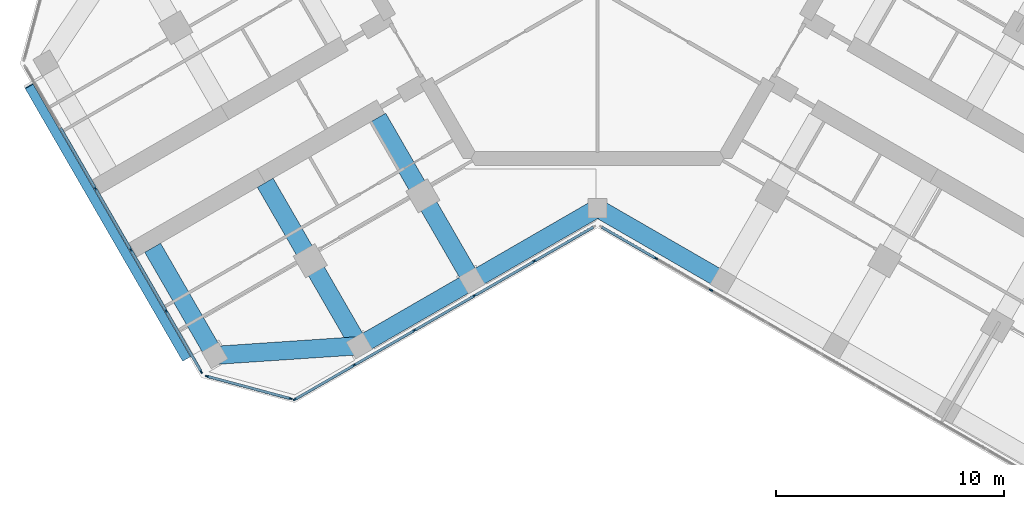
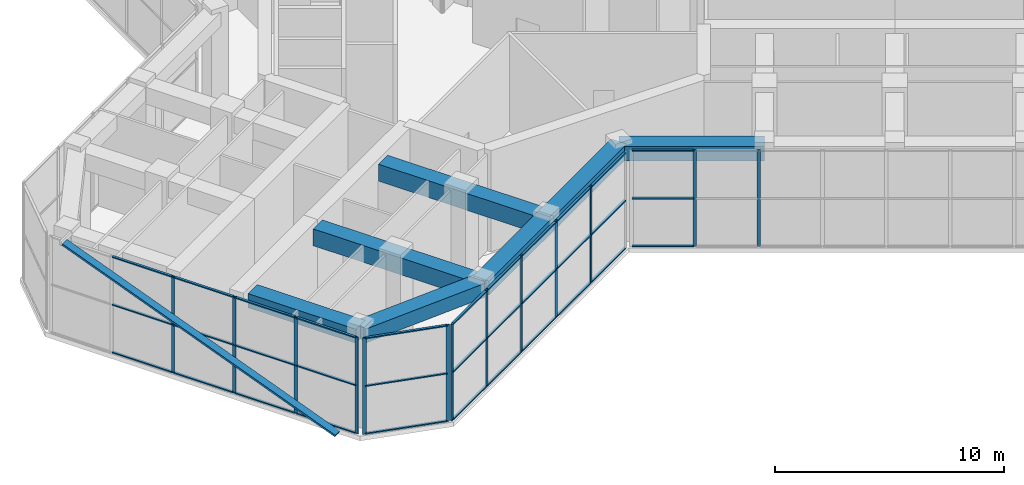
# One storey, part 2 of 16: 47 members, 7 beams, 4 elements without a shape of their own.
"""IFC4 building model written with IfcOpenShell, lengths in metres."""

from ifc_helpers import new_model, si_unit, direction, frame, origin, origin_2d, place, context, subcontext, project, spatial, rectangle, extrude, material, material_profile, profile_set, type_object, element, aggregate, save


model = new_model("IFC4")

# Units and contexts
model_context = context("Model", 3, precision=1e-05, world=origin(), true_north=direction((0.0, 1.0)))
body_context = subcontext(model_context, "Body", "Model", "MODEL_VIEW")
ifc_project = project(units=[si_unit("LENGTHUNIT", "METRE"), si_unit("AREAUNIT", "SQUARE_METRE"), si_unit("VOLUMEUNIT", "CUBIC_METRE"), si_unit("PLANEANGLEUNIT", "RADIAN"), si_unit("MASSUNIT", "GRAM", prefix="KILO")], contexts=[model_context])

# Site, building, storey
site_placement = place(None, origin())
site = spatial("IfcSite", under=ifc_project, at=site_placement, CompositionType="ELEMENT")
building_placement = place(site_placement, origin())
building = spatial("IfcBuilding", under=site, at=building_placement, Name="Kosmar Iwan School Tower", CompositionType="ELEMENT")
storey_placement = place(building_placement, frame((0.0, 0.0, 226.199951171875)))
storey = spatial("IfcBuildingStorey", under=building, at=storey_placement, Name="L57", CompositionType="ELEMENT", Elevation=226.199951171875)

# Member
ifc_material_1 = material(Name="Black anodised aluminium", Category="aluminium")
ifc_material_profile_1 = material_profile(ifc_material_1, rectangle(XDim=0.10009765625, YDim=0.39990234375, at=origin_2d()), Name="FIN 100x400")
ifc_profile_set_1 = profile_set([ifc_material_profile_1], Name="Black anodised aluminium")
member_type_1 = type_object("IfcMemberType", Name="Diagonal fin 100x400", PredefinedType="USERDEFINED", material=ifc_profile_set_1)
member_1_placement = place(storey_placement, frame((-18.0283203125, -18.3740234375, -0.14990234375), z_axis=(-0.465606905616, 0.806453242043, 0.364476855014), x_axis=(0.182238694412, -0.315646061435, 0.931212447382)))
element("IfcMember", 1, at=member_1_placement, inside=storey, type_object=member_type_1, Name="Diagonal fin L57-F11", ObjectType="FIN", PredefinedType="USERDEFINED", context=body_context, shape_type="SweptSolid", body=[
    extrude(rectangle(XDim=0.10009765625, YDim=0.39990234375, at=origin_2d()), origin(), (0.0, 0.0, 1.0), 14.8154296875),
])

# Curtain wall, members
ifc_material_2 = material(Name="Dark glass in black aluminium frame", Category="aluminium")
curtain_wall_type_1 = type_object("IfcCurtainWallType", Name="Tower curtain wall dark glass", PredefinedType="USERDEFINED", material=ifc_material_2)
curtain_wall_1_placement = place(storey_placement, origin())
curtain_wall_1 = element("IfcCurtainWall", 2, at=curtain_wall_1_placement, inside=storey, type_object=curtain_wall_type_1, Name="Curtain wall L57-F11", ObjectType="UNITISED CURTAIN WALL", PredefinedType="USERDEFINED")
ifc_material_3 = material(Name="Black anodised aluminium", Category="aluminium")
ifc_material_profile_2 = material_profile(ifc_material_3, rectangle(XDim=0.06005859375, YDim=0.159912109375, at=origin_2d()), Name="MULLION 60x160")
ifc_profile_set_2 = profile_set([ifc_material_profile_2], Name="Black anodised aluminium")
member_type_2 = type_object("IfcMemberType", Name="Mullion 60x160", PredefinedType="MULLION", material=ifc_profile_set_2)
member_2_placement = place(storey_placement, frame((-22.01416015625, -10.92041015625, 0.0), z_axis=(0.0, 0.0, 1.0), x_axis=(0.866025405329, 0.499999997325, 0.0)))
member_2 = element("IfcMember", 3, at=member_2_placement, type_object=member_type_2, Name="CW1 mullion 3", PredefinedType="MULLION", context=body_context, shape_type="SweptSolid", body=[
    extrude(rectangle(XDim=0.06005859375, YDim=0.159912109375, at=origin_2d()), origin(), (0.0, 0.0, 1.0), 5.150146484375),
])
member_3_placement = place(storey_placement, frame((-20.46435546875, -13.6044921875, 0.0), z_axis=(0.0, 0.0, 1.0), x_axis=(0.866025405329, 0.499999997325, 0.0)))
member_3 = element("IfcMember", 4, at=member_3_placement, type_object=member_type_2, Name="CW1 mullion 4", PredefinedType="MULLION", context=body_context, shape_type="SweptSolid", body=[
    extrude(rectangle(XDim=0.06005859375, YDim=0.159912109375, at=origin_2d()), origin(), (0.0, 0.0, 1.0), 5.150146484375),
])
member_4_placement = place(storey_placement, frame((-18.914794921875, -16.28857421875, 0.0), z_axis=(0.0, 0.0, 1.0), x_axis=(0.866025405329, 0.499999997325, 0.0)))
member_4 = element("IfcMember", 5, at=member_4_placement, type_object=member_type_2, Name="CW1 mullion 5", PredefinedType="MULLION", context=body_context, shape_type="SweptSolid", body=[
    extrude(rectangle(XDim=0.06005859375, YDim=0.159912109375, at=origin_2d()), origin(), (0.0, 0.0, 1.0), 5.150146484375),
])
member_5_placement = place(storey_placement, frame((-17.380126953125, -18.94677734375, 0.0), z_axis=(0.0, 0.0, 1.0), x_axis=(0.866025405329, 0.499999997325, 0.0)))
member_5 = element("IfcMember", 6, at=member_5_placement, type_object=member_type_2, Name="CW1 mullion 6", PredefinedType="MULLION", context=body_context, shape_type="SweptSolid", body=[
    extrude(rectangle(XDim=0.06005859375, YDim=0.159912109375, at=origin_2d()), origin(), (0.0, 0.0, 1.0), 5.150146484375),
])

ifc_material_4 = material(Name="Dark glass in black aluminium frame", Category="aluminium")
curtain_wall_type_2 = type_object("IfcCurtainWallType", Name="Chamfer curtain wall dark glass", PredefinedType="USERDEFINED", material=ifc_material_4)
curtain_wall_2_placement = place(storey_placement, origin())
curtain_wall_2 = element("IfcCurtainWall", 7, at=curtain_wall_2_placement, inside=storey, type_object=curtain_wall_type_2, Name="Curtain wall L57-F12", ObjectType="FACETED CURTAIN WALL", PredefinedType="USERDEFINED")
member_6_placement = place(storey_placement, frame((-17.1162109375, -19.149169921875, 0.0), z_axis=(0.0, 0.0, 1.0), x_axis=(0.258818861462, 0.965925875495, 0.0)))
member_6 = element("IfcMember", 8, at=member_6_placement, type_object=member_type_2, Name="CW2 mullion 1", PredefinedType="MULLION", context=body_context, shape_type="SweptSolid", body=[
    extrude(rectangle(XDim=0.06005859375, YDim=0.159912109375, at=origin_2d()), origin(), (0.0, 0.0, 1.0), 5.150146484375),
])
member_7_placement = place(storey_placement, frame((-13.466064453125, -20.127197265625, 0.0), z_axis=(0.0, 0.0, 1.0), x_axis=(0.258818861462, 0.965925875495, 0.0)))
member_7 = element("IfcMember", 9, at=member_7_placement, type_object=member_type_2, Name="CW2 mullion 2", PredefinedType="MULLION", context=body_context, shape_type="SweptSolid", body=[
    extrude(rectangle(XDim=0.06005859375, YDim=0.159912109375, at=origin_2d()), origin(), (0.0, 0.0, 1.0), 5.150146484375),
])

ifc_material_5 = material(Name="Dark glass in black aluminium frame", Category="aluminium")
curtain_wall_type_3 = type_object("IfcCurtainWallType", Name="Winter garden curtain wall", PredefinedType="USERDEFINED", material=ifc_material_5)
curtain_wall_3_placement = place(storey_placement, origin())
curtain_wall_3 = element("IfcCurtainWall", 10, at=curtain_wall_3_placement, inside=storey, type_object=curtain_wall_type_3, Name="Curtain wall L57-F13", ObjectType="WINTER GARDEN CURTAIN WALL", PredefinedType="USERDEFINED")
member_8_placement = place(storey_placement, frame((-2.768798828125, -14.09814453125, 0.0), z_axis=(0.0, 0.0, 1.0), x_axis=(0.499999981877, -0.866025414248, 0.0)))
member_8 = element("IfcMember", 11, at=member_8_placement, type_object=member_type_2, Name="CW7 mullion 2", PredefinedType="MULLION", context=body_context, shape_type="SweptSolid", body=[
    extrude(rectangle(XDim=0.06005859375, YDim=0.159912109375, at=origin_2d()), origin(), (0.0, 0.0, 1.0), 5.150146484375),
])
member_9_placement = place(storey_placement, frame((-5.399658203125, -15.616943359375, 0.0), z_axis=(0.0, 0.0, 1.0), x_axis=(0.499999981877, -0.866025414248, 0.0)))
member_9 = element("IfcMember", 12, at=member_9_placement, type_object=member_type_2, Name="CW7 mullion 3", PredefinedType="MULLION", context=body_context, shape_type="SweptSolid", body=[
    extrude(rectangle(XDim=0.06005859375, YDim=0.159912109375, at=origin_2d()), origin(), (0.0, 0.0, 1.0), 5.150146484375),
])
member_10_placement = place(storey_placement, frame((-8.030517578125, -17.135986328125, 0.0), z_axis=(0.0, 0.0, 1.0), x_axis=(0.499999981877, -0.866025414248, 0.0)))
member_10 = element("IfcMember", 13, at=member_10_placement, type_object=member_type_2, Name="CW7 mullion 4", PredefinedType="MULLION", context=body_context, shape_type="SweptSolid", body=[
    extrude(rectangle(XDim=0.06005859375, YDim=0.159912109375, at=origin_2d()), origin(), (0.0, 0.0, 1.0), 5.150146484375),
])
member_11_placement = place(storey_placement, frame((-10.6611328125, -18.655029296875, 0.0), z_axis=(0.0, 0.0, 1.0), x_axis=(0.499999981877, -0.866025414248, 0.0)))
member_11 = element("IfcMember", 14, at=member_11_placement, type_object=member_type_2, Name="CW7 mullion 5", PredefinedType="MULLION", context=body_context, shape_type="SweptSolid", body=[
    extrude(rectangle(XDim=0.06005859375, YDim=0.159912109375, at=origin_2d()), origin(), (0.0, 0.0, 1.0), 5.150146484375),
])
member_12_placement = place(storey_placement, frame((-13.26611328125, -20.158935546875, 0.0), z_axis=(0.0, 0.0, 1.0), x_axis=(0.499999981877, -0.866025414248, 0.0)))
member_12 = element("IfcMember", 15, at=member_12_placement, type_object=member_type_2, Name="CW7 mullion 6", PredefinedType="MULLION", context=body_context, shape_type="SweptSolid", body=[
    extrude(rectangle(XDim=0.06005859375, YDim=0.159912109375, at=origin_2d()), origin(), (0.0, 0.0, 1.0), 5.150146484375),
])

curtain_wall_4_placement = place(storey_placement, origin())
curtain_wall_4 = element("IfcCurtainWall", 16, at=curtain_wall_4_placement, inside=storey, type_object=curtain_wall_type_3, Name="Curtain wall L57-F14", ObjectType="WINTER GARDEN CURTAIN WALL", PredefinedType="USERDEFINED")
member_13_placement = place(storey_placement, frame((2.556884765625, -13.975830078125, 0.0), z_axis=(0.0, 0.0, 1.0), x_axis=(0.500000014888, 0.866025395189, 0.0)))
member_13 = element("IfcMember", 17, at=member_13_placement, type_object=member_type_2, Name="CW7 mullion 2", PredefinedType="MULLION", context=body_context, shape_type="SweptSolid", body=[
    extrude(rectangle(XDim=0.06005859375, YDim=0.159912109375, at=origin_2d()), origin(), (0.0, 0.0, 1.0), 5.150146484375),
])
member_14_placement = place(storey_placement, frame((4.975830078125, -15.37255859375, 0.0), z_axis=(0.0, 0.0, 1.0), x_axis=(0.500000014888, 0.866025395189, 0.0)))
member_14 = element("IfcMember", 18, at=member_14_placement, type_object=member_type_2, Name="CW7 mullion 3", PredefinedType="MULLION", context=body_context, shape_type="SweptSolid", body=[
    extrude(rectangle(XDim=0.06005859375, YDim=0.159912109375, at=origin_2d()), origin(), (0.0, 0.0, 1.0), 5.150146484375),
])

# Beams
ifc_material_6 = material(Name="Concrete C50/60", Category="concrete")
ifc_material_profile_3 = material_profile(ifc_material_6, rectangle(XDim=0.800048828125, YDim=0.75, at=origin_2d()), Name="RC 800x750")
ifc_profile_set_3 = profile_set([ifc_material_profile_3], Name="Concrete C50/60")
beam_type_1 = type_object("IfcBeamType", Name="RC edge beam 800x750", PredefinedType="BEAM", material=ifc_profile_set_3)
beam_1_placement = place(storey_placement, frame((0.0, -11.77783203125, 4.775146484375), z_axis=(-0.866014293216, -0.500019243575, 0.0), x_axis=(0.500019243575, -0.866014293216, 0.0)))
element("IfcBeam", 19, at=beam_1_placement, inside=storey, type_object=beam_type_1, Name="Edge beam BL1", PredefinedType="BEAM", context=body_context, shape_type="SweptSolid", body=[
    extrude(rectangle(XDim=0.800048828125, YDim=0.75, at=origin_2d()), origin(), (0.0, 0.0, 1.0), 6.361083984375),
])
beam_2_placement = place(storey_placement, frame((-5.5087890625, -14.95849609375, 4.775146484375), z_axis=(-0.866033658841, -0.49998570155, 0.0), x_axis=(0.49998570155, -0.866033658841, 0.0)))
element("IfcBeam", 20, at=beam_2_placement, inside=storey, type_object=beam_type_1, Name="Edge beam BL2", PredefinedType="BEAM", context=body_context, shape_type="SweptSolid", body=[
    extrude(rectangle(XDim=0.800048828125, YDim=0.75, at=origin_2d()), origin(), (0.0, 0.0, 1.0), 5.699951171875),
])
beam_3_placement = place(storey_placement, frame((0.0, -11.77783203125, 4.775146484375), z_axis=(0.866014293216, -0.500019243575, 0.0), x_axis=(0.500019243575, 0.866014293216, 0.0)))
element("IfcBeam", 21, at=beam_3_placement, inside=storey, type_object=beam_type_1, Name="Edge beam CR1", PredefinedType="BEAM", context=body_context, shape_type="SweptSolid", body=[
    extrude(rectangle(XDim=0.800048828125, YDim=0.75, at=origin_2d()), origin(), (0.0, 0.0, 1.0), 6.361083984375),
])
ifc_material_7 = material(Name="Concrete C50/60", Category="concrete")
ifc_material_profile_4 = material_profile(ifc_material_7, rectangle(XDim=0.800048828125, YDim=0.75, at=origin_2d()), Name="RC 800x750")
ifc_profile_set_4 = profile_set([ifc_material_profile_4], Name="Concrete C50/60")
beam_type_2 = type_object("IfcBeamType", Name="RC tip beam 800x750", PredefinedType="BEAM", material=ifc_profile_set_4)
beam_4_placement = place(storey_placement, frame((-10.445068359375, -17.808349609375, 4.775146484375), z_axis=(-0.997755118724, -0.066968074933, 0.0), x_axis=(0.066968074933, -0.997755118724, 0.0)))
element("IfcBeam", 22, at=beam_4_placement, inside=storey, type_object=beam_type_2, Name="Tip beam BL", PredefinedType="BEAM", context=body_context, shape_type="SweptSolid", body=[
    extrude(rectangle(XDim=0.800048828125, YDim=0.75, at=origin_2d()), origin(), (0.0, 0.0, 1.0), 6.3505859375),
])
beam_5_placement = place(storey_placement, frame((-16.781494140625, -18.233642578125, 4.775146484375), z_axis=(-0.500002931134, 0.866023711487, 0.0), x_axis=(-0.866023711487, -0.500002931134, 0.0)))
element("IfcBeam", 23, at=beam_5_placement, inside=storey, type_object=beam_type_2, Name="Tip beam BL to corridor wall", PredefinedType="BEAM", context=body_context, shape_type="SweptSolid", body=[
    extrude(rectangle(XDim=0.800048828125, YDim=0.75, at=origin_2d()), origin(), (0.0, 0.0, 1.0), 5.4501953125),
])
ifc_material_8 = material(Name="Concrete C50/60", Category="concrete")
ifc_material_profile_5 = material_profile(ifc_material_8, rectangle(XDim=0.800048828125, YDim=0.89990234375, at=origin_2d()), Name="RC 800x900")
ifc_profile_set_5 = profile_set([ifc_material_profile_5], Name="Concrete C50/60")
beam_type_3 = type_object("IfcBeamType", Name="RC transverse beam 800x900", PredefinedType="BEAM", material=ifc_profile_set_5)
beam_6_placement = place(storey_placement, frame((-5.5087890625, -14.95849609375, 4.699951171875), z_axis=(-0.499996545922, 0.866027397988, 0.0), x_axis=(-0.866027397988, -0.499996545922, 0.0)))
element("IfcBeam", 24, at=beam_6_placement, inside=storey, type_object=beam_type_3, Name="Transverse beam BL1", PredefinedType="BEAM", context=body_context, shape_type="SweptSolid", body=[
    extrude(rectangle(XDim=0.800048828125, YDim=0.89990234375, at=origin_2d()), origin(), (0.0, 0.0, 1.0), 8.25),
])
beam_7_placement = place(storey_placement, frame((-10.445068359375, -17.808349609375, 4.699951171875), z_axis=(-0.500009360108, 0.866019999656, 0.0), x_axis=(-0.866019999656, -0.500009360108, 0.0)))
element("IfcBeam", 25, at=beam_7_placement, inside=storey, type_object=beam_type_3, Name="Transverse beam BL2", PredefinedType="BEAM", context=body_context, shape_type="SweptSolid", body=[
    extrude(rectangle(XDim=0.800048828125, YDim=0.89990234375, at=origin_2d()), origin(), (0.0, 0.0, 1.0), 8.249755859375),
])

# Member
ifc_material_9 = material(Name="Black anodised aluminium", Category="aluminium")
ifc_material_profile_6 = material_profile(ifc_material_9, rectangle(XDim=0.1201171875, YDim=0.06005859375, at=origin_2d()), Name="TRANSOM 60x120")
ifc_profile_set_6 = profile_set([ifc_material_profile_6], Name="Black anodised aluminium")
member_type_3 = type_object("IfcMemberType", Name="Transom 60x120", PredefinedType="USERDEFINED", material=ifc_profile_set_6)
member_15_placement = place(storey_placement, frame((-23.548828125, -8.262451171875, 0.030029296875), z_axis=(0.500035348339, -0.866004994449, 0.0), x_axis=(0.866004994449, 0.500035348339, 0.0)))
member_15 = element("IfcMember", 26, at=member_15_placement, type_object=member_type_3, Name="CW1 transom 2.1", ObjectType="TRANSOM", PredefinedType="USERDEFINED", context=body_context, shape_type="SweptSolid", body=[
    extrude(rectangle(XDim=0.1201171875, YDim=0.06005859375, at=origin_2d()), origin(), (0.0, 0.0, 1.0), 3.039306640625),
])

member_16_placement = place(storey_placement, frame((-23.548828125, -8.262451171875, 2.574951171875), z_axis=(0.500035348339, -0.866004994449, 0.0), x_axis=(0.866004994449, 0.500035348339, 0.0)))
member_16 = element("IfcMember", 27, at=member_16_placement, type_object=member_type_3, Name="CW1 transom 2.2", ObjectType="TRANSOM", PredefinedType="USERDEFINED", context=body_context, shape_type="SweptSolid", body=[
    extrude(rectangle(XDim=0.1201171875, YDim=0.06005859375, at=origin_2d()), origin(), (0.0, 0.0, 1.0), 3.039306640625),
])

member_17_placement = place(storey_placement, frame((-23.548828125, -8.262451171875, 5.1201171875), z_axis=(0.500035348339, -0.866004994449, 0.0), x_axis=(0.866004994449, 0.500035348339, 0.0)))
member_17 = element("IfcMember", 28, at=member_17_placement, type_object=member_type_3, Name="CW1 transom 2.3", ObjectType="TRANSOM", PredefinedType="USERDEFINED", context=body_context, shape_type="SweptSolid", body=[
    extrude(rectangle(XDim=0.1201171875, YDim=0.06005859375, at=origin_2d()), origin(), (0.0, 0.0, 1.0), 3.039306640625),
])

member_18_placement = place(storey_placement, frame((-21.9990234375, -10.946533203125, 0.030029296875), z_axis=(0.499975102327, -0.866039777986, 0.0), x_axis=(0.866039777986, 0.499975102327, 0.0)))
member_18 = element("IfcMember", 29, at=member_18_placement, type_object=member_type_3, Name="CW1 transom 3.1", ObjectType="TRANSOM", PredefinedType="USERDEFINED", context=body_context, shape_type="SweptSolid", body=[
    extrude(rectangle(XDim=0.1201171875, YDim=0.06005859375, at=origin_2d()), origin(), (0.0, 0.0, 1.0), 3.039306640625),
])

member_19_placement = place(storey_placement, frame((-21.9990234375, -10.946533203125, 2.574951171875), z_axis=(0.499975102327, -0.866039777986, 0.0), x_axis=(0.866039777986, 0.499975102327, 0.0)))
member_19 = element("IfcMember", 30, at=member_19_placement, type_object=member_type_3, Name="CW1 transom 3.2", ObjectType="TRANSOM", PredefinedType="USERDEFINED", context=body_context, shape_type="SweptSolid", body=[
    extrude(rectangle(XDim=0.1201171875, YDim=0.06005859375, at=origin_2d()), origin(), (0.0, 0.0, 1.0), 3.039306640625),
])

member_20_placement = place(storey_placement, frame((-21.9990234375, -10.946533203125, 5.1201171875), z_axis=(0.499975102327, -0.866039777986, 0.0), x_axis=(0.866039777986, 0.499975102327, 0.0)))
member_20 = element("IfcMember", 31, at=member_20_placement, type_object=member_type_3, Name="CW1 transom 3.3", ObjectType="TRANSOM", PredefinedType="USERDEFINED", context=body_context, shape_type="SweptSolid", body=[
    extrude(rectangle(XDim=0.1201171875, YDim=0.06005859375, at=origin_2d()), origin(), (0.0, 0.0, 1.0), 3.039306640625),
])

member_21_placement = place(storey_placement, frame((-20.449462890625, -13.630615234375, 0.030029296875), z_axis=(0.500035348339, -0.866004994449, 0.0), x_axis=(0.866004994449, 0.500035348339, 0.0)))
member_21 = element("IfcMember", 32, at=member_21_placement, type_object=member_type_3, Name="CW1 transom 4.1", ObjectType="TRANSOM", PredefinedType="USERDEFINED", context=body_context, shape_type="SweptSolid", body=[
    extrude(rectangle(XDim=0.1201171875, YDim=0.06005859375, at=origin_2d()), origin(), (0.0, 0.0, 1.0), 3.039306640625),
])

member_22_placement = place(storey_placement, frame((-20.449462890625, -13.630615234375, 2.574951171875), z_axis=(0.500035348339, -0.866004994449, 0.0), x_axis=(0.866004994449, 0.500035348339, 0.0)))
member_22 = element("IfcMember", 33, at=member_22_placement, type_object=member_type_3, Name="CW1 transom 4.2", ObjectType="TRANSOM", PredefinedType="USERDEFINED", context=body_context, shape_type="SweptSolid", body=[
    extrude(rectangle(XDim=0.1201171875, YDim=0.06005859375, at=origin_2d()), origin(), (0.0, 0.0, 1.0), 3.039306640625),
])

member_23_placement = place(storey_placement, frame((-20.449462890625, -13.630615234375, 5.1201171875), z_axis=(0.500035348339, -0.866004994449, 0.0), x_axis=(0.866004994449, 0.500035348339, 0.0)))
member_23 = element("IfcMember", 34, at=member_23_placement, type_object=member_type_3, Name="CW1 transom 4.3", ObjectType="TRANSOM", PredefinedType="USERDEFINED", context=body_context, shape_type="SweptSolid", body=[
    extrude(rectangle(XDim=0.1201171875, YDim=0.06005859375, at=origin_2d()), origin(), (0.0, 0.0, 1.0), 3.039306640625),
])

member_24_placement = place(storey_placement, frame((-18.89990234375, -16.314697265625, 0.030029296875), z_axis=(0.500022102064, -0.866012642776, 0.0), x_axis=(0.866012642776, 0.500022102064, 0.0)))
member_24 = element("IfcMember", 35, at=member_24_placement, type_object=member_type_3, Name="CW1 transom 5.1", ObjectType="TRANSOM", PredefinedType="USERDEFINED", context=body_context, shape_type="SweptSolid", body=[
    extrude(rectangle(XDim=0.1201171875, YDim=0.06005859375, at=origin_2d()), origin(), (0.0, 0.0, 1.0), 3.009033203125),
])

member_25_placement = place(storey_placement, frame((-18.89990234375, -16.314697265625, 2.574951171875), z_axis=(0.500022102064, -0.866012642776, 0.0), x_axis=(0.866012642776, 0.500022102064, 0.0)))
member_25 = element("IfcMember", 36, at=member_25_placement, type_object=member_type_3, Name="CW1 transom 5.2", ObjectType="TRANSOM", PredefinedType="USERDEFINED", context=body_context, shape_type="SweptSolid", body=[
    extrude(rectangle(XDim=0.1201171875, YDim=0.06005859375, at=origin_2d()), origin(), (0.0, 0.0, 1.0), 3.009033203125),
])

member_26_placement = place(storey_placement, frame((-18.89990234375, -16.314697265625, 5.1201171875), z_axis=(0.500022102064, -0.866012642776, 0.0), x_axis=(0.866012642776, 0.500022102064, 0.0)))
member_26 = element("IfcMember", 37, at=member_26_placement, type_object=member_type_3, Name="CW1 transom 5.3", ObjectType="TRANSOM", PredefinedType="USERDEFINED", context=body_context, shape_type="SweptSolid", body=[
    extrude(rectangle(XDim=0.1201171875, YDim=0.06005859375, at=origin_2d()), origin(), (0.0, 0.0, 1.0), 3.009033203125),
])

aggregate(curtain_wall_1, [member_2, member_3, member_4, member_5, member_15, member_16, member_17, member_18, member_19, member_20, member_21, member_22, member_23, member_24, member_25, member_26])

member_27_placement = place(storey_placement, frame((-17.08740234375, -19.156982421875, 0.030029296875), z_axis=(0.965940141052, -0.258765615768, 0.0), x_axis=(0.258765615768, 0.965940141052, 0.0)))
member_27 = element("IfcMember", 38, at=member_27_placement, type_object=member_type_3, Name="CW2 transom 1.1", ObjectType="TRANSOM", PredefinedType="USERDEFINED", context=body_context, shape_type="SweptSolid", body=[
    extrude(rectangle(XDim=0.1201171875, YDim=0.06005859375, at=origin_2d()), origin(), (0.0, 0.0, 1.0), 3.71923828125),
])

member_28_placement = place(storey_placement, frame((-17.08740234375, -19.156982421875, 2.574951171875), z_axis=(0.965940141052, -0.258765615768, 0.0), x_axis=(0.258765615768, 0.965940141052, 0.0)))
member_28 = element("IfcMember", 39, at=member_28_placement, type_object=member_type_3, Name="CW2 transom 1.2", ObjectType="TRANSOM", PredefinedType="USERDEFINED", context=body_context, shape_type="SweptSolid", body=[
    extrude(rectangle(XDim=0.1201171875, YDim=0.06005859375, at=origin_2d()), origin(), (0.0, 0.0, 1.0), 3.71923828125),
])

member_29_placement = place(storey_placement, frame((-17.08740234375, -19.156982421875, 5.1201171875), z_axis=(0.965940141052, -0.258765615768, 0.0), x_axis=(0.258765615768, 0.965940141052, 0.0)))
member_29 = element("IfcMember", 40, at=member_29_placement, type_object=member_type_3, Name="CW2 transom 1.3", ObjectType="TRANSOM", PredefinedType="USERDEFINED", context=body_context, shape_type="SweptSolid", body=[
    extrude(rectangle(XDim=0.1201171875, YDim=0.06005859375, at=origin_2d()), origin(), (0.0, 0.0, 1.0), 3.71923828125),
])

aggregate(curtain_wall_2, [member_6, member_7, member_27, member_28, member_29])

member_30_placement = place(storey_placement, frame((-0.189697265625, -12.609130859375, 0.030029296875), z_axis=(-0.86600215702, -0.500040262416, 0.0), x_axis=(0.500040262416, -0.86600215702, 0.0)))
member_30 = element("IfcMember", 41, at=member_30_placement, type_object=member_type_3, Name="CW7 transom 1.1", ObjectType="TRANSOM", PredefinedType="USERDEFINED", context=body_context, shape_type="SweptSolid", body=[
    extrude(rectangle(XDim=0.1201171875, YDim=0.06005859375, at=origin_2d()), origin(), (0.0, 0.0, 1.0), 2.947998046875),
])

member_31_placement = place(storey_placement, frame((-0.189697265625, -12.609130859375, 2.574951171875), z_axis=(-0.86600215702, -0.500040262416, 0.0), x_axis=(0.500040262416, -0.86600215702, 0.0)))
member_31 = element("IfcMember", 42, at=member_31_placement, type_object=member_type_3, Name="CW7 transom 1.2", ObjectType="TRANSOM", PredefinedType="USERDEFINED", context=body_context, shape_type="SweptSolid", body=[
    extrude(rectangle(XDim=0.1201171875, YDim=0.06005859375, at=origin_2d()), origin(), (0.0, 0.0, 1.0), 2.947998046875),
])

member_32_placement = place(storey_placement, frame((-0.189697265625, -12.609130859375, 5.1201171875), z_axis=(-0.86600215702, -0.500040262416, 0.0), x_axis=(0.500040262416, -0.86600215702, 0.0)))
member_32 = element("IfcMember", 43, at=member_32_placement, type_object=member_type_3, Name="CW7 transom 1.3", ObjectType="TRANSOM", PredefinedType="USERDEFINED", context=body_context, shape_type="SweptSolid", body=[
    extrude(rectangle(XDim=0.1201171875, YDim=0.06005859375, at=origin_2d()), origin(), (0.0, 0.0, 1.0), 2.947998046875),
])

member_33_placement = place(storey_placement, frame((-2.794677734375, -14.113037109375, 0.030029296875), z_axis=(-0.866009459781, -0.500027614807, 0.0), x_axis=(0.500027614807, -0.866009459781, 0.0)))
member_33 = element("IfcMember", 44, at=member_33_placement, type_object=member_type_3, Name="CW7 transom 2.1", ObjectType="TRANSOM", PredefinedType="USERDEFINED", context=body_context, shape_type="SweptSolid", body=[
    extrude(rectangle(XDim=0.1201171875, YDim=0.06005859375, at=origin_2d()), origin(), (0.0, 0.0, 1.0), 2.977783203125),
])

member_34_placement = place(storey_placement, frame((-2.794677734375, -14.113037109375, 2.574951171875), z_axis=(-0.866009459781, -0.500027614807, 0.0), x_axis=(0.500027614807, -0.866009459781, 0.0)))
member_34 = element("IfcMember", 45, at=member_34_placement, type_object=member_type_3, Name="CW7 transom 2.2", ObjectType="TRANSOM", PredefinedType="USERDEFINED", context=body_context, shape_type="SweptSolid", body=[
    extrude(rectangle(XDim=0.1201171875, YDim=0.06005859375, at=origin_2d()), origin(), (0.0, 0.0, 1.0), 2.977783203125),
])

member_35_placement = place(storey_placement, frame((-2.794677734375, -14.113037109375, 5.1201171875), z_axis=(-0.866009459781, -0.500027614807, 0.0), x_axis=(0.500027614807, -0.866009459781, 0.0)))
member_35 = element("IfcMember", 46, at=member_35_placement, type_object=member_type_3, Name="CW7 transom 2.3", ObjectType="TRANSOM", PredefinedType="USERDEFINED", context=body_context, shape_type="SweptSolid", body=[
    extrude(rectangle(XDim=0.1201171875, YDim=0.06005859375, at=origin_2d()), origin(), (0.0, 0.0, 1.0), 2.977783203125),
])

member_36_placement = place(storey_placement, frame((-5.425537109375, -15.632080078125, 0.030029296875), z_axis=(-0.866009459781, -0.500027614807, 0.0), x_axis=(0.500027614807, -0.866009459781, 0.0)))
member_36 = element("IfcMember", 47, at=member_36_placement, type_object=member_type_3, Name="CW7 transom 3.1", ObjectType="TRANSOM", PredefinedType="USERDEFINED", context=body_context, shape_type="SweptSolid", body=[
    extrude(rectangle(XDim=0.1201171875, YDim=0.06005859375, at=origin_2d()), origin(), (0.0, 0.0, 1.0), 2.977783203125),
])

member_37_placement = place(storey_placement, frame((-5.425537109375, -15.632080078125, 2.574951171875), z_axis=(-0.866009459781, -0.500027614807, 0.0), x_axis=(0.500027614807, -0.866009459781, 0.0)))
member_37 = element("IfcMember", 48, at=member_37_placement, type_object=member_type_3, Name="CW7 transom 3.2", ObjectType="TRANSOM", PredefinedType="USERDEFINED", context=body_context, shape_type="SweptSolid", body=[
    extrude(rectangle(XDim=0.1201171875, YDim=0.06005859375, at=origin_2d()), origin(), (0.0, 0.0, 1.0), 2.977783203125),
])

member_38_placement = place(storey_placement, frame((-5.425537109375, -15.632080078125, 5.1201171875), z_axis=(-0.866009459781, -0.500027614807, 0.0), x_axis=(0.500027614807, -0.866009459781, 0.0)))
member_38 = element("IfcMember", 49, at=member_38_placement, type_object=member_type_3, Name="CW7 transom 3.3", ObjectType="TRANSOM", PredefinedType="USERDEFINED", context=body_context, shape_type="SweptSolid", body=[
    extrude(rectangle(XDim=0.1201171875, YDim=0.06005859375, at=origin_2d()), origin(), (0.0, 0.0, 1.0), 2.977783203125),
])

member_39_placement = place(storey_placement, frame((-8.056396484375, -17.15087890625, 0.030029296875), z_axis=(-0.866009459781, -0.500027614807, 0.0), x_axis=(0.500027614807, -0.866009459781, 0.0)))
member_39 = element("IfcMember", 50, at=member_39_placement, type_object=member_type_3, Name="CW7 transom 4.1", ObjectType="TRANSOM", PredefinedType="USERDEFINED", context=body_context, shape_type="SweptSolid", body=[
    extrude(rectangle(XDim=0.1201171875, YDim=0.06005859375, at=origin_2d()), origin(), (0.0, 0.0, 1.0), 2.977783203125),
])

member_40_placement = place(storey_placement, frame((-8.056396484375, -17.15087890625, 2.574951171875), z_axis=(-0.866009459781, -0.500027614807, 0.0), x_axis=(0.500027614807, -0.866009459781, 0.0)))
member_40 = element("IfcMember", 51, at=member_40_placement, type_object=member_type_3, Name="CW7 transom 4.2", ObjectType="TRANSOM", PredefinedType="USERDEFINED", context=body_context, shape_type="SweptSolid", body=[
    extrude(rectangle(XDim=0.1201171875, YDim=0.06005859375, at=origin_2d()), origin(), (0.0, 0.0, 1.0), 2.977783203125),
])

member_41_placement = place(storey_placement, frame((-8.056396484375, -17.15087890625, 5.1201171875), z_axis=(-0.866009459781, -0.500027614807, 0.0), x_axis=(0.500027614807, -0.866009459781, 0.0)))
member_41 = element("IfcMember", 52, at=member_41_placement, type_object=member_type_3, Name="CW7 transom 4.3", ObjectType="TRANSOM", PredefinedType="USERDEFINED", context=body_context, shape_type="SweptSolid", body=[
    extrude(rectangle(XDim=0.1201171875, YDim=0.06005859375, at=origin_2d()), origin(), (0.0, 0.0, 1.0), 2.977783203125),
])

member_42_placement = place(storey_placement, frame((-10.687255859375, -18.669921875, 0.030029296875), z_axis=(-0.866038018385, -0.499978150234, 0.0), x_axis=(0.499978150234, -0.866038018385, 0.0)))
member_42 = element("IfcMember", 53, at=member_42_placement, type_object=member_type_3, Name="CW7 transom 5.1", ObjectType="TRANSOM", PredefinedType="USERDEFINED", context=body_context, shape_type="SweptSolid", body=[
    extrude(rectangle(XDim=0.1201171875, YDim=0.06005859375, at=origin_2d()), origin(), (0.0, 0.0, 1.0), 2.947998046875),
])

member_43_placement = place(storey_placement, frame((-10.687255859375, -18.669921875, 2.574951171875), z_axis=(-0.866038018385, -0.499978150234, 0.0), x_axis=(0.499978150234, -0.866038018385, 0.0)))
member_43 = element("IfcMember", 54, at=member_43_placement, type_object=member_type_3, Name="CW7 transom 5.2", ObjectType="TRANSOM", PredefinedType="USERDEFINED", context=body_context, shape_type="SweptSolid", body=[
    extrude(rectangle(XDim=0.1201171875, YDim=0.06005859375, at=origin_2d()), origin(), (0.0, 0.0, 1.0), 2.947998046875),
])

member_44_placement = place(storey_placement, frame((-10.687255859375, -18.669921875, 5.1201171875), z_axis=(-0.866038018385, -0.499978150234, 0.0), x_axis=(0.499978150234, -0.866038018385, 0.0)))
member_44 = element("IfcMember", 55, at=member_44_placement, type_object=member_type_3, Name="CW7 transom 5.3", ObjectType="TRANSOM", PredefinedType="USERDEFINED", context=body_context, shape_type="SweptSolid", body=[
    extrude(rectangle(XDim=0.1201171875, YDim=0.06005859375, at=origin_2d()), origin(), (0.0, 0.0, 1.0), 2.947998046875),
])

aggregate(curtain_wall_3, [member_8, member_9, member_10, member_11, member_12, member_30, member_31, member_32, member_33, member_34, member_35, member_36, member_37, member_38, member_39, member_40, member_41, member_42, member_43, member_44])

member_45_placement = place(storey_placement, frame((0.189697265625, -12.609130859375, 0.030029296875), z_axis=(0.865994576166, -0.500053391201, 0.0), x_axis=(0.500053391201, 0.865994576166, 0.0)))
member_45 = element("IfcMember", 56, at=member_45_placement, type_object=member_type_3, Name="CW7 transom 1.1", ObjectType="TRANSOM", PredefinedType="USERDEFINED", context=body_context, shape_type="SweptSolid", body=[
    extrude(rectangle(XDim=0.1201171875, YDim=0.06005859375, at=origin_2d()), origin(), (0.0, 0.0, 1.0), 2.703369140625),
])

member_46_placement = place(storey_placement, frame((0.189697265625, -12.609130859375, 2.574951171875), z_axis=(0.865994576166, -0.500053391201, 0.0), x_axis=(0.500053391201, 0.865994576166, 0.0)))
member_46 = element("IfcMember", 57, at=member_46_placement, type_object=member_type_3, Name="CW7 transom 1.2", ObjectType="TRANSOM", PredefinedType="USERDEFINED", context=body_context, shape_type="SweptSolid", body=[
    extrude(rectangle(XDim=0.1201171875, YDim=0.06005859375, at=origin_2d()), origin(), (0.0, 0.0, 1.0), 2.703369140625),
])

member_47_placement = place(storey_placement, frame((0.189697265625, -12.609130859375, 5.1201171875), z_axis=(0.865994576166, -0.500053391201, 0.0), x_axis=(0.500053391201, 0.865994576166, 0.0)))
member_47 = element("IfcMember", 58, at=member_47_placement, type_object=member_type_3, Name="CW7 transom 1.3", ObjectType="TRANSOM", PredefinedType="USERDEFINED", context=body_context, shape_type="SweptSolid", body=[
    extrude(rectangle(XDim=0.1201171875, YDim=0.06005859375, at=origin_2d()), origin(), (0.0, 0.0, 1.0), 2.703369140625),
])

aggregate(curtain_wall_4, [member_13, member_14, member_45, member_46, member_47])

save(model, "model.ifc")
